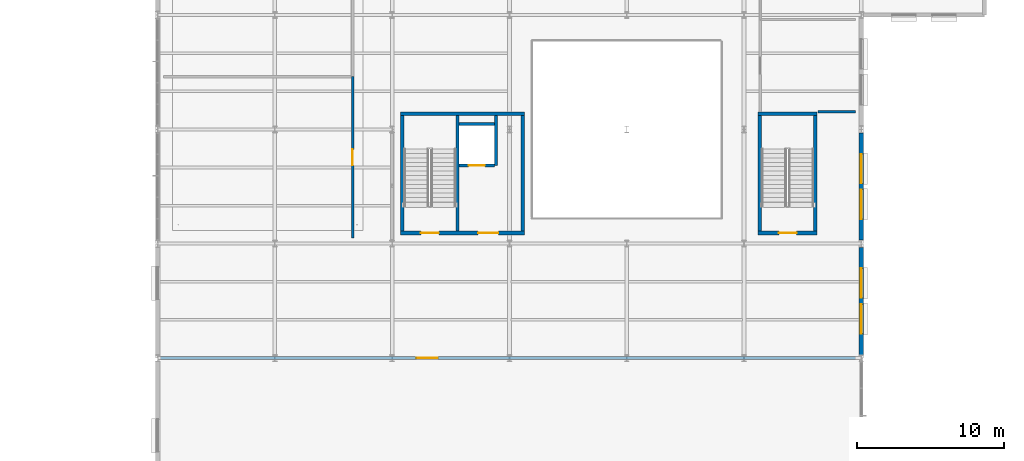
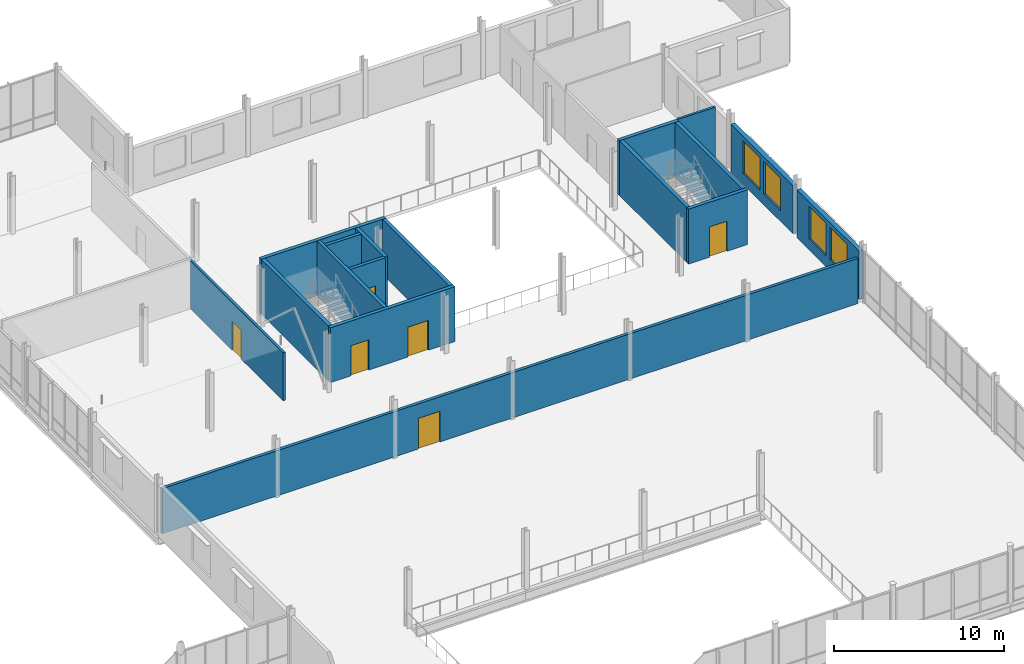
# One storey, part 61 of 75: 17 walls, 6 doors, 4 windows, 10 openings.
"""IFC4 building model written with IfcOpenShell, lengths in metres."""

from ifc_helpers import new_model, si_unit, direction, frame, frame_2d, origin, place, context, subcontext, project, spatial, rectangle, extrude, material, layer, layer_set, type_object, element, fill, save


model = new_model("IFC4")

# Units and contexts
model_context = context("Model", 3, precision=1e-05, world=origin(), true_north=direction((0.0, 1.0)))
body_context = subcontext(model_context, "Body", "Model", "MODEL_VIEW")
ifc_project = project(units=[si_unit("LENGTHUNIT", "METRE"), si_unit("AREAUNIT", "SQUARE_METRE"), si_unit("VOLUMEUNIT", "CUBIC_METRE"), si_unit("PLANEANGLEUNIT", "RADIAN"), si_unit("MASSUNIT", "GRAM", prefix="KILO")], contexts=[model_context])

# Site, building, storey
site_placement = place(None, origin())
site = spatial("IfcSite", under=ifc_project, at=site_placement, CompositionType="ELEMENT")
building_placement = place(site_placement, origin())
building = spatial("IfcBuilding", under=site, at=building_placement, Name="Yukiwa Park Conservatory and Herbarium", CompositionType="ELEMENT")
storey_placement = place(building_placement, frame((0.0, 0.0, 4.800048828125)))
storey = spatial("IfcBuildingStorey", under=building, at=storey_placement, Name="L01", CompositionType="ELEMENT", Elevation=4.800048828125)

# Wall
ifc_material_1 = material(Name="Concrete C40", Category="concrete")
ifc_layer_1 = layer(ifc_material_1, 0.219970703125)
ifc_layer_set_1 = layer_set([ifc_layer_1], Name="Concrete C40")
wall_type_1 = type_object("IfcWallType", Name="WL-CORE-RC220", PredefinedType="SHEAR", material=ifc_layer_set_1)
wall_1_placement = place(storey_placement, frame((80.4599609375, 55.449951171875, 0.0), z_axis=(0.0, 0.0, 1.0), x_axis=(0.0, 1.0, 0.0)))
element("IfcWall", 1, at=wall_1_placement, inside=storey, type_object=wall_type_1, Name="L01 core shear wall 190", PredefinedType="SHEAR", context=body_context, shape_type="SweptSolid", body=[
    extrude(rectangle(XDim=7.900146484375, YDim=0.219970703125, at=frame_2d((3.9501953125, 0.0))), origin(), (0.0, 0.0, 1.0), 3.954833984375),
])

# Wall, opening, door
wall_2_placement = place(storey_placement, frame((80.570068359375, 59.93994140625, 0.0), z_axis=(0.0, 0.0, 1.0), x_axis=(1.0, 0.0, 0.0)))
wall_2 = element("IfcWall", 2, at=wall_2_placement, inside=storey, type_object=wall_type_1, Name="L01 core shear wall 192", PredefinedType="SHEAR", context=body_context, shape_type="SweptSolid", body=[
    extrude(rectangle(XDim=2.39990234375, YDim=0.219970703125, at=frame_2d((1.199951171875, 0.0))), origin(), (0.0, 0.0, 1.0), 3.954833984375),
])
opening_1_placement = place(wall_2_placement, frame((0.64990234375, 0.0, 0.0)))
opening_1 = element("IfcOpeningElement", 3, at=opening_1_placement, cuts=wall_2, Name="Opening LD-01", PredefinedType="OPENING", context=body_context, shape_type="SweptSolid", body=[
    extrude(rectangle(XDim=1.10009765625, YDim=2.14990234375, at=frame_2d((0.550048828125, 1.074951171875))), frame((0.0, 0.1201171875, 0.0), z_axis=(0.0, -1.0, 0.0), x_axis=(1.0, 0.0, 0.0)), (0.0, 0.0, 1.0), 0.239990234375),
])
ifc_material_2 = material(Name="Steel Q235B", Category="steel")
door_type_1 = type_object("IfcDoorType", Name="DR-LIFT-LD1100", OperationType="SLIDING_TO_LEFT", PredefinedType="DOOR", material=ifc_material_2)
door_1_placement = place(opening_1_placement, origin())
door_1 = element("IfcDoor", 4, at=door_1_placement, inside=storey, type_object=door_type_1, Name="L01 Visitor Accessible Lift VL1 sliding landing door", OperationType="SLIDING_TO_LEFT", OverallHeight=2.14990234375, OverallWidth=1.10009765625, PredefinedType="DOOR", context=body_context, shape_type="SweptSolid", body=[
    extrude(rectangle(XDim=1.10009765625, YDim=2.14990234375, at=frame_2d((0.550048828125, 1.074951171875))), frame((0.0, 0.02490234375, 0.0), z_axis=(0.0, -1.0, 0.0), x_axis=(1.0, 0.0, 0.0)), (0.0, 0.0, 1.0), 0.050048828125),
])
fill(opening_1, door_1)

# Walls
wall_3_placement = place(storey_placement, frame((83.080078125, 59.93994140625, 0.0), z_axis=(0.0, 0.0, 1.0), x_axis=(0.0, 1.0, 0.0)))
element("IfcWall", 5, at=wall_3_placement, inside=storey, type_object=wall_type_1, Name="L01 core shear wall 193", PredefinedType="SHEAR", context=body_context, shape_type="SweptSolid", body=[
    extrude(rectangle(XDim=3.41015625, YDim=0.219970703125, at=frame_2d((1.705078125, 0.0))), origin(), (0.0, 0.0, 1.0), 3.954833984375),
])
wall_4_placement = place(storey_placement, frame((80.570068359375, 62.760009765625, 0.0), z_axis=(0.0, 0.0, 1.0), x_axis=(1.0, 0.0, 0.0)))
element("IfcWall", 6, at=wall_4_placement, inside=storey, type_object=wall_type_1, Name="L01 core shear wall 194", PredefinedType="SHEAR", context=body_context, shape_type="SweptSolid", body=[
    extrude(rectangle(XDim=2.39990234375, YDim=0.219970703125, at=frame_2d((1.199951171875, 0.0))), origin(), (0.0, 0.0, 1.0), 3.954833984375),
])

# Wall, openings, doors
ifc_material_3 = material(Name="Concrete C50", Category="concrete")
ifc_layer_2 = layer(ifc_material_3, 0.239990234375)
ifc_layer_set_2 = layer_set([ifc_layer_2], Name="Concrete C50")
wall_type_2 = type_object("IfcWallType", Name="WL-CORE-RC240", PredefinedType="SHEAR", material=ifc_layer_set_2)
wall_5_placement = place(storey_placement, frame((76.56005859375, 55.330078125, 0.0), z_axis=(0.0, 0.0, 1.0), x_axis=(1.0, 0.0, 0.0)))
wall_5 = element("IfcWall", 7, at=wall_5_placement, inside=storey, type_object=wall_type_2, Name="L01 core shear wall 187", PredefinedType="SHEAR", context=body_context, shape_type="SweptSolid", body=[
    extrude(rectangle(XDim=8.47998046875, YDim=0.239990234375, at=frame_2d((4.239990234375, 0.0))), origin(), (0.0, 0.0, 1.0), 3.954833984375),
])
opening_2_placement = place(wall_5_placement, frame((1.39990234375, 0.0, 0.0)))
opening_2 = element("IfcOpeningElement", 8, at=opening_2_placement, cuts=wall_5, Name="Opening SD-01", PredefinedType="OPENING", context=body_context, shape_type="SweptSolid", body=[
    extrude(rectangle(XDim=1.219970703125, YDim=2.179931640625, at=frame_2d((0.60986328125, 1.08984375))), frame((0.0, 0.1298828125, 0.0), z_axis=(0.0, -1.0, 0.0), x_axis=(1.0, 0.0, 0.0)), (0.0, 0.0, 1.0), 0.260009765625),
])
opening_3_placement = place(wall_5_placement, frame((5.300048828125, 0.0, 0.0)))
opening_3 = element("IfcOpeningElement", 9, at=opening_3_placement, cuts=wall_5, Name="Opening FD-06", PredefinedType="OPENING", context=body_context, shape_type="SweptSolid", body=[
    extrude(rectangle(XDim=1.3798828125, YDim=2.14990234375, at=frame_2d((0.68994140625, 1.074951171875))), frame((0.0, 0.1298828125, 0.0), z_axis=(0.0, -1.0, 0.0), x_axis=(1.0, 0.0, 0.0)), (0.0, 0.0, 1.0), 0.260009765625),
])
ifc_material_4 = material(Name="Steel Q235B", Category="steel")
door_type_2 = type_object("IfcDoorType", Name="DR-FIRE-FD60-1400", OperationType="DOUBLE_DOOR_SINGLE_SWING", PredefinedType="DOOR", material=ifc_material_4)
door_2_placement = place(opening_3_placement, frame((1.3798828125, 0.0, 0.0), z_axis=(0.0, 0.0, 1.0), x_axis=(-1.0, 0.0, 0.0)))
door_2 = element("IfcDoor", 10, at=door_2_placement, inside=storey, type_object=door_type_2, Name="L01 Visitor Lift Lobby double fire door", OperationType="DOUBLE_DOOR_SINGLE_SWING", OverallHeight=2.14990234375, OverallWidth=1.3798828125, PredefinedType="DOOR", context=body_context, shape_type="SweptSolid", body=[
    extrude(rectangle(XDim=1.3798828125, YDim=2.14990234375, at=frame_2d((0.68994140625, 1.074951171875))), frame((0.0, 0.02490234375, 0.0), z_axis=(0.0, -1.0, 0.0), x_axis=(1.0, 0.0, 0.0)), (0.0, 0.0, 1.0), 0.050048828125),
])
fill(opening_3, door_2)
ifc_material_5 = material(Name="Steel Q235B", Category="steel")
door_type_3 = type_object("IfcDoorType", Name="DR-STAIR-FD90-1200", OperationType="SINGLE_SWING_LEFT", PredefinedType="DOOR", material=ifc_material_5)
door_3_placement = place(opening_2_placement, origin())
door_3 = element("IfcDoor", 11, at=door_3_placement, inside=storey, type_object=door_type_3, Name="L01 Stairwell ST-V1 fire door", OperationType="SINGLE_SWING_LEFT", OverallHeight=2.179931640625, OverallWidth=1.219970703125, PredefinedType="DOOR", context=body_context, shape_type="SweptSolid", body=[
    extrude(rectangle(XDim=1.219970703125, YDim=2.179931640625, at=frame_2d((0.60986328125, 1.08984375))), frame((0.0, 0.02490234375, 0.0), z_axis=(0.0, -1.0, 0.0), x_axis=(1.0, 0.0, 0.0)), (0.0, 0.0, 1.0), 0.050048828125),
])
fill(opening_2, door_3)

# Walls
wall_6_placement = place(storey_placement, frame((76.56005859375, 63.469970703125, 0.0), z_axis=(0.0, 0.0, 1.0), x_axis=(1.0, 0.0, 0.0)))
element("IfcWall", 12, at=wall_6_placement, inside=storey, type_object=wall_type_2, Name="L01 core shear wall 188", PredefinedType="SHEAR", context=body_context, shape_type="SweptSolid", body=[
    extrude(rectangle(XDim=8.47998046875, YDim=0.239990234375, at=frame_2d((4.239990234375, 0.0))), origin(), (0.0, 0.0, 1.0), 3.954833984375),
])
for number, where, z_axis, x_axis, name in (
    (13, (76.679931640625, 55.449951171875, 0.0), (0.0, 0.0, 1.0), (0.0, 1.0, 0.0), "L01 core shear wall 189"),
    (14, (84.919921875, 55.449951171875, 0.0), (0.0, 0.0, 1.0), (0.0, 1.0, 0.0), "L01 core shear wall 191"),
):
    element("IfcWall", number, at=place(storey_placement, frame(where, z_axis=z_axis, x_axis=x_axis)), inside=storey, type_object=wall_type_2, Name=name, PredefinedType="SHEAR", context=body_context, shape_type="SweptSolid", body=[
        extrude(rectangle(XDim=7.900146484375, YDim=0.239990234375, at=frame_2d((3.9501953125, 0.0))), origin(), (0.0, 0.0, 1.0), 3.954833984375),
    ])

# Wall, opening, door
wall_7_placement = place(storey_placement, frame((100.9599609375, 55.330078125, 0.0), z_axis=(0.0, 0.0, 1.0), x_axis=(1.0, 0.0, 0.0)))
wall_7 = element("IfcWall", 15, at=wall_7_placement, inside=storey, type_object=wall_type_2, Name="L01 core shear wall 207", PredefinedType="SHEAR", context=body_context, shape_type="SweptSolid", body=[
    extrude(rectangle(XDim=4.030029296875, YDim=0.239990234375, at=frame_2d((2.01513671875, 0.0))), origin(), (0.0, 0.0, 1.0), 3.954833984375),
])
opening_4_placement = place(wall_7_placement, frame((1.4150390625, 0.0, 0.0)))
opening_4 = element("IfcOpeningElement", 16, at=opening_4_placement, cuts=wall_7, Name="Opening SD-01", PredefinedType="OPENING", context=body_context, shape_type="SweptSolid", body=[
    extrude(rectangle(XDim=1.219970703125, YDim=2.179931640625, at=frame_2d((0.60986328125, 1.08984375))), frame((0.0, 0.1298828125, 0.0), z_axis=(0.0, -1.0, 0.0), x_axis=(1.0, 0.0, 0.0)), (0.0, 0.0, 1.0), 0.260009765625),
])
door_4_placement = place(opening_4_placement, origin())
door_4 = element("IfcDoor", 17, at=door_4_placement, inside=storey, type_object=door_type_3, Name="L01 Stairwell ST-V2 fire door", OperationType="SINGLE_SWING_LEFT", OverallHeight=2.179931640625, OverallWidth=1.219970703125, PredefinedType="DOOR", context=body_context, shape_type="SweptSolid", body=[
    extrude(rectangle(XDim=1.219970703125, YDim=2.179931640625, at=frame_2d((0.60986328125, 1.08984375))), frame((0.0, 0.02490234375, 0.0), z_axis=(0.0, -1.0, 0.0), x_axis=(1.0, 0.0, 0.0)), (0.0, 0.0, 1.0), 0.050048828125),
])
fill(opening_4, door_4)

# Walls
wall_8_placement = place(storey_placement, frame((100.9599609375, 63.469970703125, 0.0), z_axis=(0.0, 0.0, 1.0), x_axis=(1.0, 0.0, 0.0)))
element("IfcWall", 18, at=wall_8_placement, inside=storey, type_object=wall_type_2, Name="L01 core shear wall 208", PredefinedType="SHEAR", context=body_context, shape_type="SweptSolid", body=[
    extrude(rectangle(XDim=4.030029296875, YDim=0.239990234375, at=frame_2d((2.01513671875, 0.0))), origin(), (0.0, 0.0, 1.0), 3.954833984375),
])
for number, where, z_axis, x_axis, name in (
    (19, (101.080078125, 55.449951171875, 0.0), (0.0, 0.0, 1.0), (0.0, 1.0, 0.0), "L01 core shear wall 209"),
    (20, (104.8701171875, 55.449951171875, 0.0), (0.0, 0.0, 1.0), (0.0, 1.0, 0.0), "L01 core shear wall 210"),
):
    element("IfcWall", number, at=place(storey_placement, frame(where, z_axis=z_axis, x_axis=x_axis)), inside=storey, type_object=wall_type_2, Name=name, PredefinedType="SHEAR", context=body_context, shape_type="SweptSolid", body=[
        extrude(rectangle(XDim=7.900146484375, YDim=0.239990234375, at=frame_2d((3.9501953125, 0.0))), origin(), (0.0, 0.0, 1.0), 3.954833984375),
    ])

# Wall, openings, windows
ifc_material_6 = material(Name="Charred Larch Cladding", Category="wood")
ifc_layer_3 = layer(ifc_material_6, 0.2900390625)
ifc_layer_set_3 = layer_set([ifc_layer_3], Name="Charred Larch Cladding")
wall_type_3 = type_object("IfcWallType", Name="WL-EXT-LARCH-290", PredefinedType="SOLIDWALL", material=ifc_layer_set_3)
wall_9_placement = place(storey_placement, frame((108.0, 47.02001953125, 0.0), z_axis=(0.0, 0.0, 1.0), x_axis=(0.0, 1.0, 0.0)))
wall_9 = element("IfcWall", 21, at=wall_9_placement, inside=storey, type_object=wall_type_3, Name="L01 exterior envelope wall 154", PredefinedType="SOLIDWALL", context=body_context, shape_type="SweptSolid", body=[
    extrude(rectangle(XDim=7.3359375, YDim=0.2900390625, at=frame_2d((3.66796875, 0.0))), origin(), (0.0, 0.0, 1.0), 3.4609375),
])
opening_5_placement = place(wall_9_placement, frame((1.445068359375, 0.0, 0.780029296875)))
opening_5 = element("IfcOpeningElement", 22, at=opening_5_placement, cuts=wall_9, Name="Opening W-29", PredefinedType="OPENING", context=body_context, shape_type="SweptSolid", body=[
    extrude(rectangle(XDim=2.0, YDim=2.35009765625, at=frame_2d((1.0, 1.175048828125))), frame((0.0, 0.155029296875, 0.0), z_axis=(0.0, -1.0, 0.0), x_axis=(1.0, 0.0, 0.0)), (0.0, 0.0, 1.0), 0.31005859375),
])
opening_6_placement = place(wall_9_placement, frame((3.89111328125, 0.0, 0.780029296875)))
opening_6 = element("IfcOpeningElement", 23, at=opening_6_placement, cuts=wall_9, Name="Opening W-29", PredefinedType="OPENING", context=body_context, shape_type="SweptSolid", body=[
    extrude(rectangle(XDim=2.0, YDim=2.35009765625, at=frame_2d((1.0, 1.175048828125))), frame((0.0, 0.155029296875, 0.0), z_axis=(0.0, -1.0, 0.0), x_axis=(1.0, 0.0, 0.0)), (0.0, 0.0, 1.0), 0.31005859375),
])
ifc_material_7 = material(Name="Triple Low-E Insulated Glass", Category="glass")
window_type = type_object("IfcWindowType", Name="WN-VS-2000X2350", PartitioningType="SINGLE_PANEL", PredefinedType="WINDOW", material=ifc_material_7)
window_1_placement = place(opening_5_placement, origin())
window_1 = element("IfcWindow", 24, at=window_1_placement, inside=storey, type_object=window_type, Name="L01 deep-reveal triple-glazed window 47", OverallHeight=2.35009765625, OverallWidth=2.0, PartitioningType="SINGLE_PANEL", PredefinedType="WINDOW", context=body_context, shape_type="SweptSolid", body=[
    extrude(rectangle(XDim=2.0, YDim=2.35009765625, at=frame_2d((1.0, 1.175048828125))), frame((0.0, 0.030029296875, 0.0), z_axis=(0.0, -1.0, 0.0), x_axis=(1.0, 0.0, 0.0)), (0.0, 0.0, 1.0), 0.06005859375),
])
fill(opening_5, window_1)
window_2_placement = place(opening_6_placement, origin())
window_2 = element("IfcWindow", 25, at=window_2_placement, inside=storey, type_object=window_type, Name="L01 deep-reveal triple-glazed window 48", OverallHeight=2.35009765625, OverallWidth=2.0, PartitioningType="SINGLE_PANEL", PredefinedType="WINDOW", context=body_context, shape_type="SweptSolid", body=[
    extrude(rectangle(XDim=2.0, YDim=2.35009765625, at=frame_2d((1.0, 1.175048828125))), frame((0.0, 0.030029296875, 0.0), z_axis=(0.0, -1.0, 0.0), x_axis=(1.0, 0.0, 0.0)), (0.0, 0.0, 1.0), 0.06005859375),
])
fill(opening_6, window_2)

wall_10_placement = place(storey_placement, frame((108.0, 54.843994140625, 0.0), z_axis=(0.0, 0.0, 1.0), x_axis=(0.0, 1.0, 0.0)))
wall_10 = element("IfcWall", 26, at=wall_10_placement, inside=storey, type_object=wall_type_3, Name="L01 exterior envelope wall 155", PredefinedType="SOLIDWALL", context=body_context, shape_type="SweptSolid", body=[
    extrude(rectangle(XDim=7.31201171875, YDim=0.2900390625, at=frame_2d((3.656005859375, 0.0))), origin(), (0.0, 0.0, 1.0), 3.4609375),
])
opening_7_placement = place(wall_10_placement, frame((1.43701171875, 0.0, 0.780029296875)))
opening_7 = element("IfcOpeningElement", 27, at=opening_7_placement, cuts=wall_10, Name="Opening W-29", PredefinedType="OPENING", context=body_context, shape_type="SweptSolid", body=[
    extrude(rectangle(XDim=2.0, YDim=2.35009765625, at=frame_2d((1.0, 1.175048828125))), frame((0.0, 0.155029296875, 0.0), z_axis=(0.0, -1.0, 0.0), x_axis=(1.0, 0.0, 0.0)), (0.0, 0.0, 1.0), 0.31005859375),
])
opening_8_placement = place(wall_10_placement, frame((3.875, 0.0, 0.780029296875)))
opening_8 = element("IfcOpeningElement", 28, at=opening_8_placement, cuts=wall_10, Name="Opening W-29", PredefinedType="OPENING", context=body_context, shape_type="SweptSolid", body=[
    extrude(rectangle(XDim=2.0, YDim=2.35009765625, at=frame_2d((1.0, 1.175048828125))), frame((0.0, 0.155029296875, 0.0), z_axis=(0.0, -1.0, 0.0), x_axis=(1.0, 0.0, 0.0)), (0.0, 0.0, 1.0), 0.31005859375),
])
window_3_placement = place(opening_7_placement, origin())
window_3 = element("IfcWindow", 29, at=window_3_placement, inside=storey, type_object=window_type, Name="L01 deep-reveal triple-glazed window 49", OverallHeight=2.35009765625, OverallWidth=2.0, PartitioningType="SINGLE_PANEL", PredefinedType="WINDOW", context=body_context, shape_type="SweptSolid", body=[
    extrude(rectangle(XDim=2.0, YDim=2.35009765625, at=frame_2d((1.0, 1.175048828125))), frame((0.0, 0.030029296875, 0.0), z_axis=(0.0, -1.0, 0.0), x_axis=(1.0, 0.0, 0.0)), (0.0, 0.0, 1.0), 0.06005859375),
])
fill(opening_7, window_3)
window_4_placement = place(opening_8_placement, origin())
window_4 = element("IfcWindow", 30, at=window_4_placement, inside=storey, type_object=window_type, Name="L01 deep-reveal triple-glazed window 50", OverallHeight=2.35009765625, OverallWidth=2.0, PartitioningType="SINGLE_PANEL", PredefinedType="WINDOW", context=body_context, shape_type="SweptSolid", body=[
    extrude(rectangle(XDim=2.0, YDim=2.35009765625, at=frame_2d((1.0, 1.175048828125))), frame((0.0, 0.030029296875, 0.0), z_axis=(0.0, -1.0, 0.0), x_axis=(1.0, 0.0, 0.0)), (0.0, 0.0, 1.0), 0.06005859375),
])
fill(opening_8, window_4)

# Wall, opening, door
ifc_material_8 = material(Name="Gypsum Board Partition", Category="gypsum")
ifc_layer_4 = layer(ifc_material_8, 0.199951171875)
ifc_layer_set_4 = layer_set([ifc_layer_4], Name="Gypsum Board Partition")
wall_type_4 = type_object("IfcWallType", Name="WL-PART-FIRE-200", PredefinedType="SOLIDWALL", material=ifc_layer_set_4)
wall_11_placement = place(storey_placement, frame((60.199951171875, 46.800048828125, 0.0), z_axis=(0.0, 0.0, 1.0), x_axis=(1.0, 0.0, 0.0)))
wall_11 = element("IfcWall", 31, at=wall_11_placement, inside=storey, type_object=wall_type_4, Name="L01 interior partition wall 220", PredefinedType="SOLIDWALL", context=body_context, shape_type="SweptSolid", body=[
    extrude(rectangle(XDim=47.400146484375, YDim=0.199951171875, at=frame_2d((23.7001953125, 0.0))), origin(), (0.0, 0.0, 1.0), 3.262939453125),
])
opening_9_placement = place(wall_11_placement, frame((17.44189453125, 0.0, 0.0)))
opening_9 = element("IfcOpeningElement", 32, at=opening_9_placement, cuts=wall_11, Name="Opening FD-07", PredefinedType="OPENING", context=body_context, shape_type="SweptSolid", body=[
    extrude(rectangle(XDim=1.47998046875, YDim=2.219970703125, at=frame_2d((0.739990234375, 1.10986328125))), frame((0.0, 0.10986328125, 0.0), z_axis=(0.0, -1.0, 0.0), x_axis=(1.0, 0.0, 0.0)), (0.0, 0.0, 1.0), 0.219970703125),
])
ifc_material_9 = material(Name="Steel Q235B", Category="steel")
door_type_4 = type_object("IfcDoorType", Name="DR-FIRE-FD60-1500", OperationType="DOUBLE_DOOR_SINGLE_SWING", PredefinedType="DOOR", material=ifc_material_9)
door_5_placement = place(opening_9_placement, origin())
door_5 = element("IfcDoor", 33, at=door_5_placement, inside=storey, type_object=door_type_4, Name="L01 Concourse bridge to Education mezzanine fire door", OperationType="DOUBLE_DOOR_SINGLE_SWING", OverallHeight=2.219970703125, OverallWidth=1.47998046875, PredefinedType="DOOR", context=body_context, shape_type="SweptSolid", body=[
    extrude(rectangle(XDim=1.47998046875, YDim=2.219970703125, at=frame_2d((0.739990234375, 1.10986328125))), frame((0.0, 0.02490234375, 0.0), z_axis=(0.0, -1.0, 0.0), x_axis=(1.0, 0.0, 0.0)), (0.0, 0.0, 1.0), 0.050048828125),
])
fill(opening_9, door_5)

ifc_material_10 = material(Name="Gypsum Board Partition", Category="gypsum")
ifc_layer_5 = layer(ifc_material_10, 0.159912109375)
ifc_layer_set_5 = layer_set([ifc_layer_5], Name="Gypsum Board Partition")
wall_type_5 = type_object("IfcWallType", Name="WL-PART-GYP-160", PredefinedType="PARTITIONING", material=ifc_layer_set_5)
wall_12_placement = place(storey_placement, frame((73.300048828125, 55.0, 0.0), z_axis=(0.0, 0.0, 1.0), x_axis=(0.0, 1.0, 0.0)))
wall_12 = element("IfcWall", 34, at=wall_12_placement, inside=storey, type_object=wall_type_5, Name="L01 interior partition wall 221", PredefinedType="PARTITIONING", context=body_context, shape_type="SweptSolid", body=[
    extrude(rectangle(XDim=11.0, YDim=0.159912109375, at=frame_2d((5.5, 0.0))), origin(), (0.0, 0.0, 1.0), 3.458984375),
])
opening_10_placement = place(wall_12_placement, frame((4.949951171875, 0.0, 0.0)))
opening_10 = element("IfcOpeningElement", 35, at=opening_10_placement, cuts=wall_12, Name="Opening ID-11", PredefinedType="OPENING", context=body_context, shape_type="SweptSolid", body=[
    extrude(rectangle(XDim=1.080078125, YDim=2.080078125, at=frame_2d((0.5400390625, 1.0400390625))), frame((0.0, 0.08984375, 0.0), z_axis=(0.0, -1.0, 0.0), x_axis=(1.0, 0.0, 0.0)), (0.0, 0.0, 1.0), 0.179931640625),
])
ifc_material_11 = material(Name="Charred Larch Cladding", Category="wood")
door_type_5 = type_object("IfcDoorType", Name="DR-INT-1100", OperationType="SINGLE_SWING_RIGHT", PredefinedType="DOOR", material=ifc_material_11)
door_6_placement = place(opening_10_placement, origin())
door_6 = element("IfcDoor", 36, at=door_6_placement, inside=storey, type_object=door_type_5, Name="L01 Education Classroom 1 door", OperationType="SINGLE_SWING_RIGHT", OverallHeight=2.080078125, OverallWidth=1.080078125, PredefinedType="DOOR", context=body_context, shape_type="SweptSolid", body=[
    extrude(rectangle(XDim=1.080078125, YDim=2.080078125, at=frame_2d((0.5400390625, 1.0400390625))), frame((0.0, 0.02490234375, 0.0), z_axis=(0.0, -1.0, 0.0), x_axis=(1.0, 0.0, 0.0)), (0.0, 0.0, 1.0), 0.050048828125),
])
fill(opening_10, door_6)

# Wall
wall_13_placement = place(storey_placement, frame((105.050048828125, 63.60009765625, 0.0), z_axis=(0.0, 0.0, 1.0), x_axis=(1.0, 0.0, 0.0)))
element("IfcWall", 37, at=wall_13_placement, inside=storey, type_object=wall_type_5, Name="L01 interior partition wall 225", PredefinedType="PARTITIONING", context=body_context, shape_type="SweptSolid", body=[
    extrude(rectangle(XDim=2.550048828125, YDim=0.159912109375, at=frame_2d((1.27490234375, 0.0))), origin(), (0.0, 0.0, 1.0), 3.954833984375),
])

save(model, "model.ifc")
